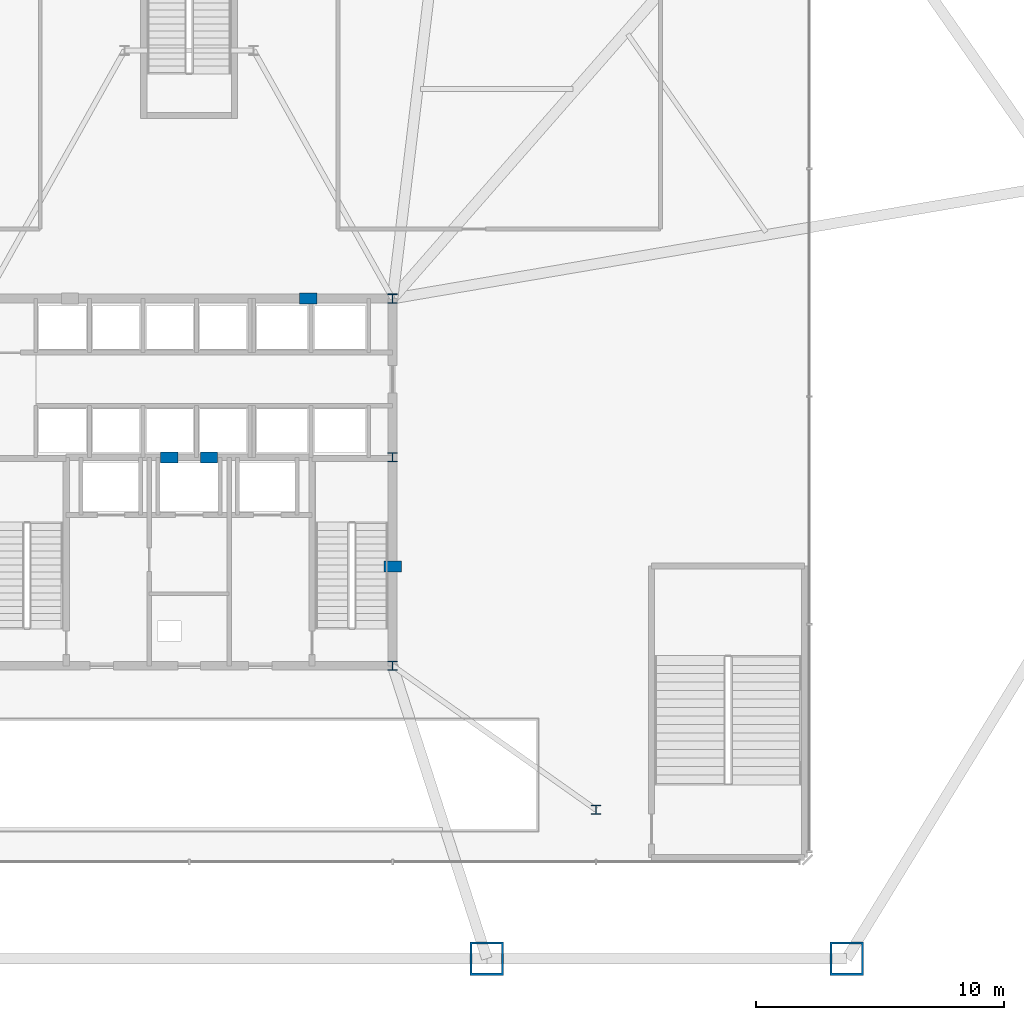
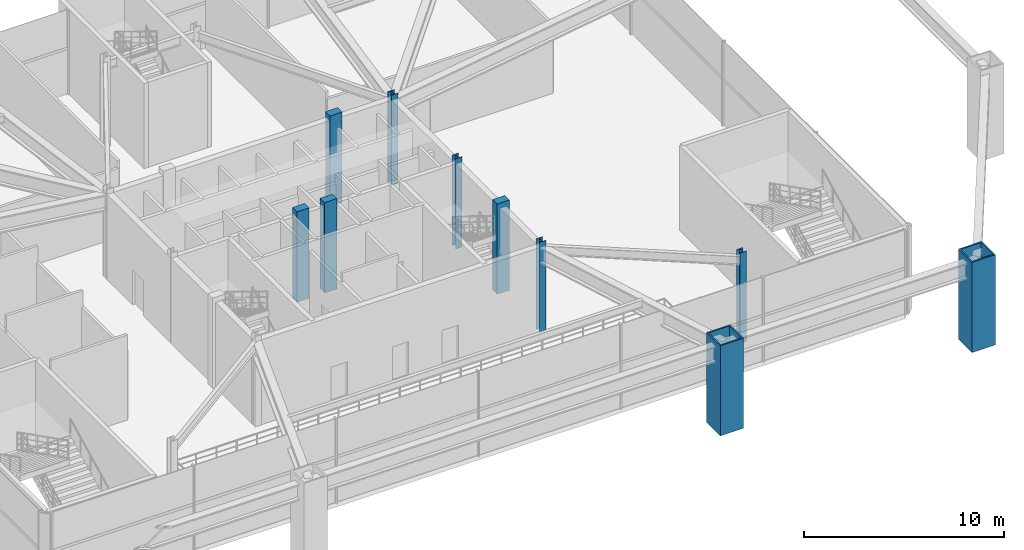
# One storey, part 2 of 18: 10 columns.
"""IFC4 building model written with IfcOpenShell, lengths in metres."""

from ifc_helpers import new_model, si_unit, direction, frame, origin, origin_2d, place, context, subcontext, project, spatial, rectangle, hollow_rectangle, i_section, extrude, material, material_profile, profile_set, type_object, element, save


model = new_model("IFC4")

# Units and contexts
model_context = context("Model", 3, precision=1e-05, world=origin(), true_north=direction((0.0, 1.0)))
body_context = subcontext(model_context, "Body", "Model", "MODEL_VIEW")
ifc_project = project(units=[si_unit("LENGTHUNIT", "METRE"), si_unit("AREAUNIT", "SQUARE_METRE"), si_unit("VOLUMEUNIT", "CUBIC_METRE"), si_unit("PLANEANGLEUNIT", "RADIAN"), si_unit("MASSUNIT", "GRAM", prefix="KILO")], contexts=[model_context])

# Site, building, storey
site_placement = place(None, origin())
site = spatial("IfcSite", under=ifc_project, at=site_placement, CompositionType="ELEMENT")
building_placement = place(site_placement, origin())
building = spatial("IfcBuilding", under=site, at=building_placement, Name="Varakhsha Concourse Tower", CompositionType="ELEMENT")
storey_placement = place(building_placement, frame((0.0, 0.0, 5.5)))
storey = spatial("IfcBuildingStorey", under=building, at=storey_placement, Name="L02", CompositionType="ELEMENT", Elevation=5.5)

# Columns
ifc_material_1 = material(Name="Structural Steel ASTM A992 Grade 50", Category="steel")
ifc_material_profile_1 = material_profile(ifc_material_1, i_section(OverallWidth=0.3740234375, OverallDepth=0.3720703125, WebThickness=0.01611328125, FlangeThickness=0.02587890625, at=origin_2d()), Name="W14X132")
ifc_profile_set_1 = profile_set([ifc_material_profile_1], Name="Structural Steel ASTM A992 Grade 50")
column_type_1 = type_object("IfcColumnType", Name="CL-CORE-W14X132", PredefinedType="COLUMN", material=ifc_profile_set_1)
for number, where, z_axis, x_axis, name in (
    (1, (48.199951171875, 16.39990234375, 0.0), (0.0, 0.0, 1.0), (1.0, 0.0, 0.0), "L02 Core Column CC-SE"),
    (2, (48.199951171875, 24.800048828125, 0.0), (0.0, 0.0, 1.0), (1.0, 0.0, 0.0), "L02 Core Column CC-ME"),
    (3, (48.199951171875, 31.199951171875, 0.0), (0.0, 0.0, 1.0), (1.0, 0.0, 0.0), "L02 Core Column CC-NE"),
    (4, (56.39990234375, 10.60009765625, 0.0), (0.0, 0.0, 1.0), (1.0, 0.0, 0.0), "L02 Core Column SS-E"),
):
    element("IfcColumn", number, at=place(storey_placement, frame(where, z_axis=z_axis, x_axis=x_axis)), inside=storey, type_object=column_type_1, Name=name, PredefinedType="COLUMN", context=body_context, shape_type="SweptSolid", body=[
        extrude(i_section(OverallWidth=0.3740234375, OverallDepth=0.3720703125, WebThickness=0.01611328125, FlangeThickness=0.02587890625, at=origin_2d()), origin(), (0.0, 0.0, 1.0), 5.5),
    ])
ifc_material_2 = material(Name="Concrete fc 65 MPa", Category="concrete")
ifc_material_profile_2 = material_profile(ifc_material_2, rectangle(XDim=0.699951171875, YDim=0.449951171875, at=origin_2d()), Name="RC 700x450")
ifc_profile_set_2 = profile_set([ifc_material_profile_2], Name="Concrete fc 65 MPa")
column_type_2 = type_object("IfcColumnType", Name="CL-PIL-700X450", PredefinedType="PILASTER", material=ifc_profile_set_2)
for number, where, z_axis, x_axis, name in (
    (5, (48.199951171875, 20.39990234375, 0.0), (0.0, 0.0, 1.0), (1.0, 0.0, 0.0), "L02 Core Boundary Pilaster PIL-E1"),
    (6, (44.800048828125, 31.199951171875, 0.0), (0.0, 0.0, 1.0), (1.0, 0.0, 0.0), "L02 Core Boundary Pilaster PIL-N2"),
    (7, (39.199951171875, 24.800048828125, 0.0), (0.0, 0.0, 1.0), (1.0, 0.0, 0.0), "L02 Core Boundary Pilaster PIL-M1"),
    (8, (40.800048828125, 24.800048828125, 0.0), (0.0, 0.0, 1.0), (1.0, 0.0, 0.0), "L02 Core Boundary Pilaster PIL-M2"),
):
    element("IfcColumn", number, at=place(storey_placement, frame(where, z_axis=z_axis, x_axis=x_axis)), inside=storey, type_object=column_type_2, Name=name, PredefinedType="PILASTER", context=body_context, shape_type="SweptSolid", body=[
        extrude(rectangle(XDim=0.699951171875, YDim=0.449951171875, at=origin_2d()), origin(), (0.0, 0.0, 1.0), 5.5),
    ])
ifc_material_3 = material(Name="Structural Steel ASTM A572 Grade 50", Category="steel")
ifc_material_profile_3 = material_profile(ifc_material_3, hollow_rectangle(XDim=1.35009765625, YDim=1.35009765625, WallThickness=0.0849609375, at=origin_2d()), Name="BOX 1350x1350x85")
ifc_profile_set_3 = profile_set([ifc_material_profile_3], Name="Structural Steel ASTM A572 Grade 50")
column_type_3 = type_object("IfcColumnType", Name="CL-STILT-1350", PredefinedType="COLUMN", material=ifc_profile_set_3)
for number, where, z_axis, x_axis, name in (
    (9, (52.0, 4.60009765625, 0.0), (0.0, 0.0, 1.0), (1.0, 0.0, 0.0), "L02 Open Perimeter Box Stilt PC-S3"),
    (10, (66.5, 4.60009765625, 0.0), (0.0, 0.0, 1.0), (1.0, 0.0, 0.0), "L02 Open Perimeter Box Stilt PC-S4"),
):
    element("IfcColumn", number, at=place(storey_placement, frame(where, z_axis=z_axis, x_axis=x_axis)), inside=storey, type_object=column_type_3, Name=name, PredefinedType="COLUMN", context=body_context, shape_type="SweptSolid", body=[
        extrude(hollow_rectangle(XDim=1.35009765625, YDim=1.35009765625, WallThickness=0.0849609375, at=origin_2d()), origin(), (0.0, 0.0, 1.0), 5.5),
    ])

save(model, "model.ifc")
